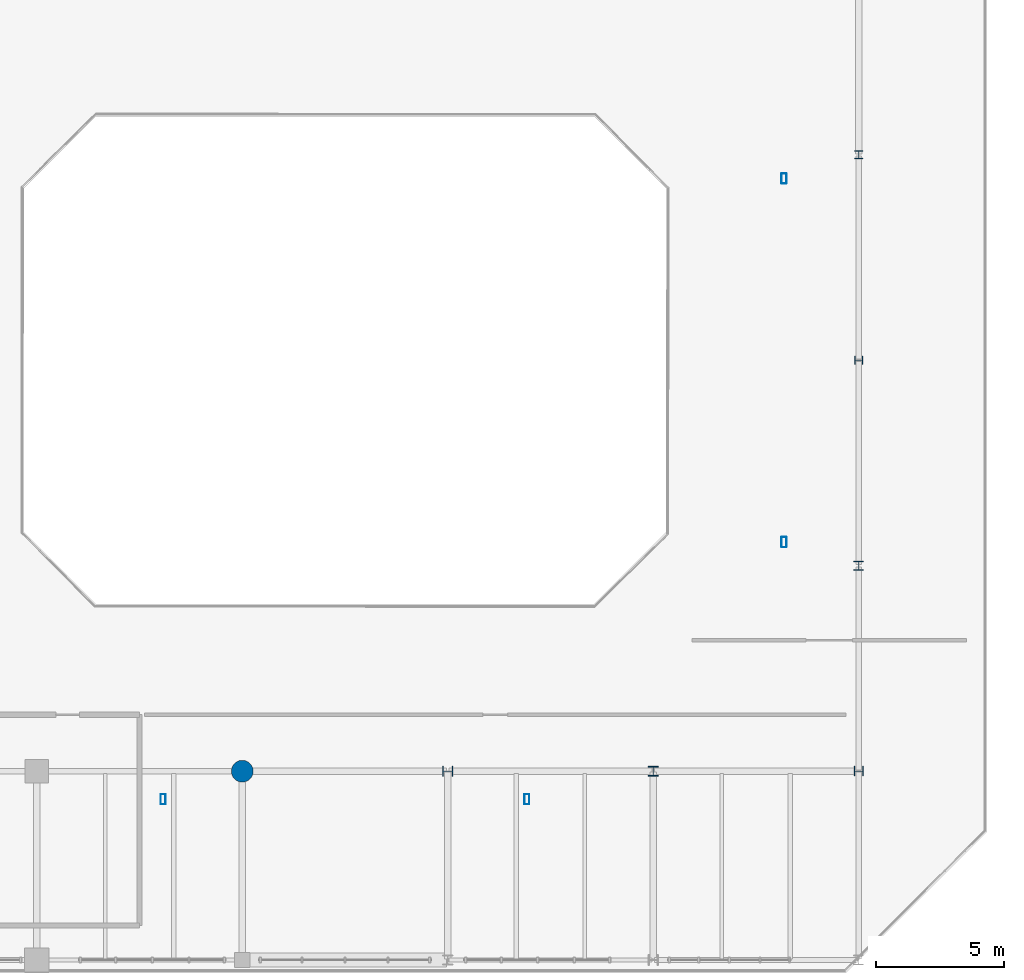
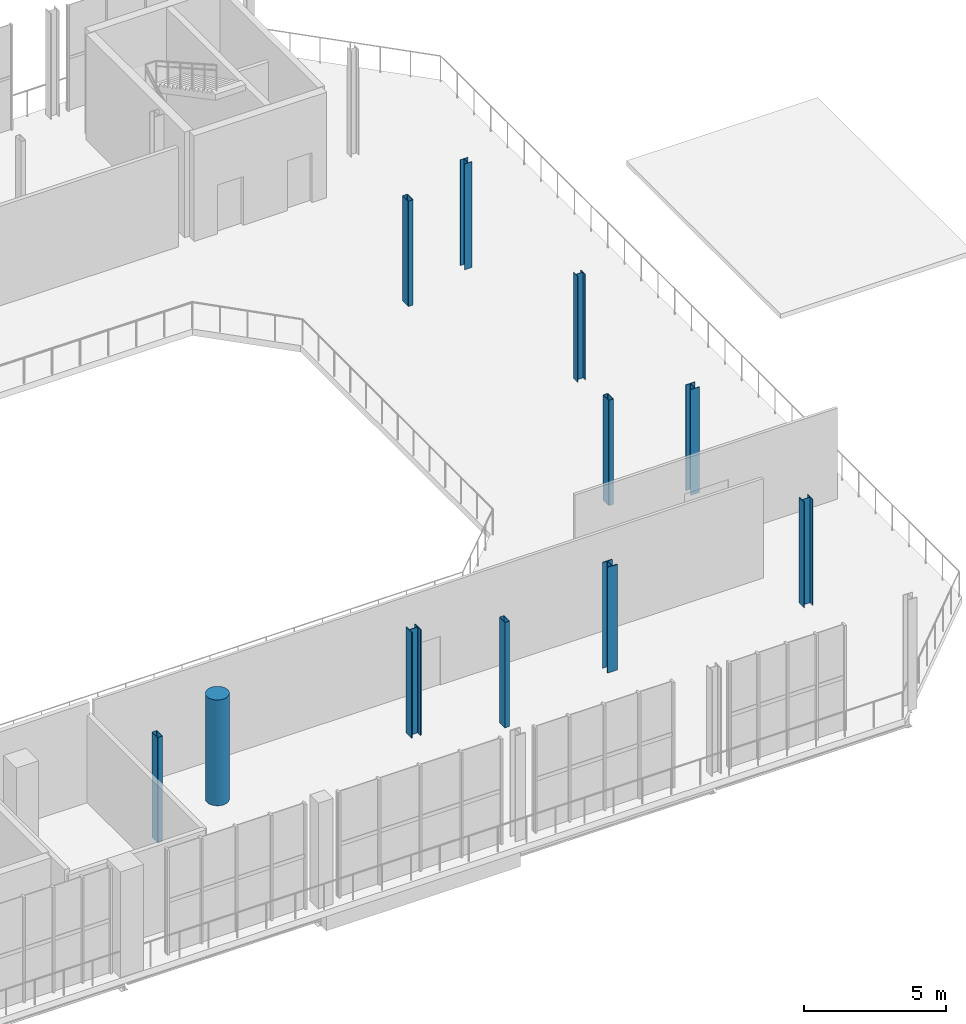
# One storey, part 7 of 51: 11 columns.
"""IFC4 building model written with IfcOpenShell, lengths in metres."""

from ifc_helpers import new_model, si_unit, direction, frame, origin, origin_2d, place, context, subcontext, project, spatial, hollow_rectangle, circle, i_section, extrude, material, material_profile, profile_set, type_object, element, save


model = new_model("IFC4")

# Units and contexts
model_context = context("Model", 3, precision=1e-05, world=origin(), true_north=direction((0.0, 1.0)))
body_context = subcontext(model_context, "Body", "Model", "MODEL_VIEW")
ifc_project = project(units=[si_unit("LENGTHUNIT", "METRE"), si_unit("AREAUNIT", "SQUARE_METRE"), si_unit("VOLUMEUNIT", "CUBIC_METRE"), si_unit("PLANEANGLEUNIT", "RADIAN"), si_unit("MASSUNIT", "GRAM", prefix="KILO")], contexts=[model_context])

# Site, building, storey
site_placement = place(None, origin())
site = spatial("IfcSite", under=ifc_project, at=site_placement, CompositionType="ELEMENT")
building_placement = place(site_placement, origin())
building = spatial("IfcBuilding", under=site, at=building_placement, Name="Brisemont Oceanarium", CompositionType="ELEMENT")
storey_placement = place(building_placement, frame((0.0, 0.0, 15.0)))
storey = spatial("IfcBuildingStorey", under=building, at=storey_placement, Name="L03", CompositionType="ELEMENT", Elevation=15.0)

# Columns
ifc_material_1 = material(Name="Structural Steel ASTM A500 Gr.C", Category="steel")
ifc_material_profile_1 = material_profile(ifc_material_1, hollow_rectangle(XDim=0.202880859375, YDim=0.406005859375, WallThickness=0.01171875, InnerFilletRadius=0.01220703125, OuterFilletRadius=0.02392578125, at=origin_2d()), Name="HSS16X8X1/2")
ifc_profile_set_1 = profile_set([ifc_material_profile_1], Name="Structural Steel ASTM A500 Gr.C")
column_type_1 = type_object("IfcColumnType", Name="COL-HSS16X8", PredefinedType="COLUMN", material=ifc_profile_set_1)
for number, where, z_axis, x_axis, name in (
    (1, (101.091796875, 63.07958984375, 0.0), (0.0, 0.0, 1.0), (1.0, 0.0, 0.0), "V1 dome drum pier L03.1"),
    (2, (76.92041015625, 38.908203125, 0.0), (0.0, 0.0, 1.0), (1.0, 0.0, 0.0), "V1 dome drum pier L03.6"),
    (3, (91.07958984375, 38.908203125, 0.0), (0.0, 0.0, 1.0), (1.0, 0.0, 0.0), "V1 dome drum pier L03.7"),
    (4, (101.091796875, 48.92041015625, 0.0), (0.0, 0.0, 1.0), (1.0, 0.0, 0.0), "V1 dome drum pier L03.8"),
):
    element("IfcColumn", number, at=place(storey_placement, frame(where, z_axis=z_axis, x_axis=x_axis)), inside=storey, type_object=column_type_1, Name=name, PredefinedType="COLUMN", context=body_context, shape_type="SweptSolid", body=[
        extrude(hollow_rectangle(XDim=0.202880859375, YDim=0.406005859375, WallThickness=0.01171875, InnerFilletRadius=0.01220703125, OuterFilletRadius=0.02392578125, at=origin_2d()), origin(), (0.0, 0.0, 1.0), 4.5400390625),
    ])
ifc_material_2 = material(Name="Concrete C40/50", Category="concrete")
ifc_material_profile_2 = material_profile(ifc_material_2, circle(Radius=0.425048828125, at=origin_2d()), Name="RC-COL-D850")
ifc_profile_set_2 = profile_set([ifc_material_profile_2], Name="Concrete C40/50")
column_type_2 = type_object("IfcColumnType", Name="COL-RCD850", PredefinedType="COLUMN", material=ifc_profile_set_2)
column_1_placement = place(storey_placement, frame((80.0, 40.0, 0.0), z_axis=(0.0, 0.0, 1.0), x_axis=(1.0, 0.0, 0.0)))
element("IfcColumn", 5, at=column_1_placement, inside=storey, type_object=column_type_2, Name="V1 L03 column (3,1)", PredefinedType="COLUMN", context=body_context, shape_type="SweptSolid", body=[
    extrude(circle(Radius=0.425048828125, at=origin_2d()), origin(), (0.0, 0.0, 1.0), 4.56005859375),
])
ifc_material_3 = material(Name="Structural Steel ASTM A992 Gr.50", Category="steel")
ifc_material_profile_3 = material_profile(ifc_material_3, i_section(OverallWidth=0.306884765625, OverallDepth=0.31494140625, WebThickness=0.011962890625, FlangeThickness=0.018798828125, FilletRadius=0.012939453125, at=origin_2d()), Name="W12X79")
ifc_profile_set_3 = profile_set([ifc_material_profile_3], Name="Structural Steel ASTM A992 Gr.50")
column_type_3 = type_object("IfcColumnType", Name="COL-W12X79", PredefinedType="COLUMN", material=ifc_profile_set_3)
column_2_placement = place(storey_placement, frame((104.0, 64.0, 0.0), z_axis=(0.0, 0.0, 1.0), x_axis=(1.0, 0.0, 0.0)))
element("IfcColumn", 6, at=column_2_placement, inside=storey, type_object=column_type_3, Name="V1 L03 column (6,4)", PredefinedType="COLUMN", context=body_context, shape_type="SweptSolid", body=[
    extrude(i_section(OverallWidth=0.306884765625, OverallDepth=0.31494140625, WebThickness=0.011962890625, FlangeThickness=0.018798828125, FilletRadius=0.012939453125, at=origin_2d()), origin(), (0.0, 0.0, 1.0), 4.56005859375),
])
ifc_material_4 = material(Name="Structural Steel ASTM A992 Gr.50", Category="steel")
ifc_material_profile_4 = material_profile(ifc_material_4, i_section(OverallWidth=0.30810546875, OverallDepth=0.318115234375, WebThickness=0.01318359375, FlangeThickness=0.0205078125, FilletRadius=0.012939453125, at=origin_2d()), Name="W12X87")
ifc_profile_set_4 = profile_set([ifc_material_profile_4], Name="Structural Steel ASTM A992 Gr.50")
column_type_4 = type_object("IfcColumnType", Name="COL-W12X87", PredefinedType="COLUMN", material=ifc_profile_set_4)
column_3_placement = place(storey_placement, frame((104.0, 56.0, 0.0), z_axis=(0.0, 0.0, 1.0), x_axis=(0.0, 1.0, 0.0)))
element("IfcColumn", 7, at=column_3_placement, inside=storey, type_object=column_type_4, Name="V1 L03 column (6,3)", PredefinedType="COLUMN", context=body_context, shape_type="SweptSolid", body=[
    extrude(i_section(OverallWidth=0.30810546875, OverallDepth=0.318115234375, WebThickness=0.01318359375, FlangeThickness=0.0205078125, FilletRadius=0.012939453125, at=origin_2d()), origin(), (0.0, 0.0, 1.0), 4.56005859375),
])
ifc_material_5 = material(Name="Structural Steel ASTM A992 Gr.50", Category="steel")
ifc_material_profile_5 = material_profile(ifc_material_5, i_section(OverallWidth=0.39404296875, OverallDepth=0.3759765625, WebThickness=0.017333984375, FlangeThickness=0.027587890625, FilletRadius=0.014892578125, at=origin_2d()), Name="W14X145")
ifc_profile_set_5 = profile_set([ifc_material_profile_5], Name="Structural Steel ASTM A992 Gr.50")
column_type_5 = type_object("IfcColumnType", Name="COL-W14X145", PredefinedType="COLUMN", material=ifc_profile_set_5)
column_4_placement = place(storey_placement, frame((96.0, 40.0, 0.0), z_axis=(0.0, 0.0, 1.0), x_axis=(1.0, 0.0, 0.0)))
element("IfcColumn", 8, at=column_4_placement, inside=storey, type_object=column_type_5, Name="V1 L03 column (5,1)", PredefinedType="COLUMN", context=body_context, shape_type="SweptSolid", body=[
    extrude(i_section(OverallWidth=0.39404296875, OverallDepth=0.3759765625, WebThickness=0.017333984375, FlangeThickness=0.027587890625, FilletRadius=0.014892578125, at=origin_2d()), origin(), (0.0, 0.0, 1.0), 4.56005859375),
])
ifc_material_6 = material(Name="Structural Steel ASTM A992 Gr.50", Category="steel")
ifc_material_profile_6 = material_profile(ifc_material_6, i_section(OverallWidth=0.40087890625, OverallDepth=0.39892578125, WebThickness=0.02490234375, FlangeThickness=0.03955078125, FilletRadius=0.014892578125, at=origin_2d()), Name="W14X211")
ifc_profile_set_6 = profile_set([ifc_material_profile_6], Name="Structural Steel ASTM A992 Gr.50")
column_type_6 = type_object("IfcColumnType", Name="COL-W14X211", PredefinedType="COLUMN", material=ifc_profile_set_6)
column_5_placement = place(storey_placement, frame((88.0, 40.0, 0.0), z_axis=(0.0, 0.0, 1.0), x_axis=(0.0, 1.0, 0.0)))
element("IfcColumn", 9, at=column_5_placement, inside=storey, type_object=column_type_6, Name="V1 L03 column (4,1)", PredefinedType="COLUMN", context=body_context, shape_type="SweptSolid", body=[
    extrude(i_section(OverallWidth=0.40087890625, OverallDepth=0.39892578125, WebThickness=0.02490234375, FlangeThickness=0.03955078125, FilletRadius=0.014892578125, at=origin_2d()), origin(), (0.0, 0.0, 1.0), 4.56005859375),
])
ifc_material_7 = material(Name="Structural Steel ASTM A992 Gr.50", Category="steel")
ifc_material_profile_7 = material_profile(ifc_material_7, i_section(OverallWidth=0.367919921875, OverallDepth=0.35595703125, WebThickness=0.01123046875, FlangeThickness=0.01806640625, FilletRadius=0.014892578125, at=origin_2d()), Name="W14X90")
ifc_profile_set_7 = profile_set([ifc_material_profile_7], Name="Structural Steel ASTM A992 Gr.50")
column_type_7 = type_object("IfcColumnType", Name="COL-W14X90", PredefinedType="COLUMN", material=ifc_profile_set_7)
column_6_placement = place(storey_placement, frame((104.0, 48.0, 0.0), z_axis=(0.0, 0.0, 1.0), x_axis=(1.0, 0.0, 0.0)))
element("IfcColumn", 10, at=column_6_placement, inside=storey, type_object=column_type_7, Name="V1 L03 column (6,2)", PredefinedType="COLUMN", context=body_context, shape_type="SweptSolid", body=[
    extrude(i_section(OverallWidth=0.367919921875, OverallDepth=0.35595703125, WebThickness=0.01123046875, FlangeThickness=0.01806640625, FilletRadius=0.014892578125, at=origin_2d()), origin(), (0.0, 0.0, 1.0), 4.56005859375),
])
ifc_material_8 = material(Name="Structural Steel ASTM A992 Gr.50", Category="steel")
ifc_material_profile_8 = material_profile(ifc_material_8, i_section(OverallWidth=0.37109375, OverallDepth=0.361083984375, WebThickness=0.01220703125, FlangeThickness=0.019775390625, FilletRadius=0.014892578125, at=origin_2d()), Name="W14X99")
ifc_profile_set_8 = profile_set([ifc_material_profile_8], Name="Structural Steel ASTM A992 Gr.50")
column_type_8 = type_object("IfcColumnType", Name="COL-W14X99", PredefinedType="COLUMN", material=ifc_profile_set_8)
column_7_placement = place(storey_placement, frame((104.0, 40.0, 0.0), z_axis=(0.0, 0.0, 1.0), x_axis=(0.0, 1.0, 0.0)))
element("IfcColumn", 11, at=column_7_placement, inside=storey, type_object=column_type_8, Name="V1 L03 column (6,1)", PredefinedType="COLUMN", context=body_context, shape_type="SweptSolid", body=[
    extrude(i_section(OverallWidth=0.37109375, OverallDepth=0.361083984375, WebThickness=0.01220703125, FlangeThickness=0.019775390625, FilletRadius=0.014892578125, at=origin_2d()), origin(), (0.0, 0.0, 1.0), 4.56005859375),
])

save(model, "model.ifc")
